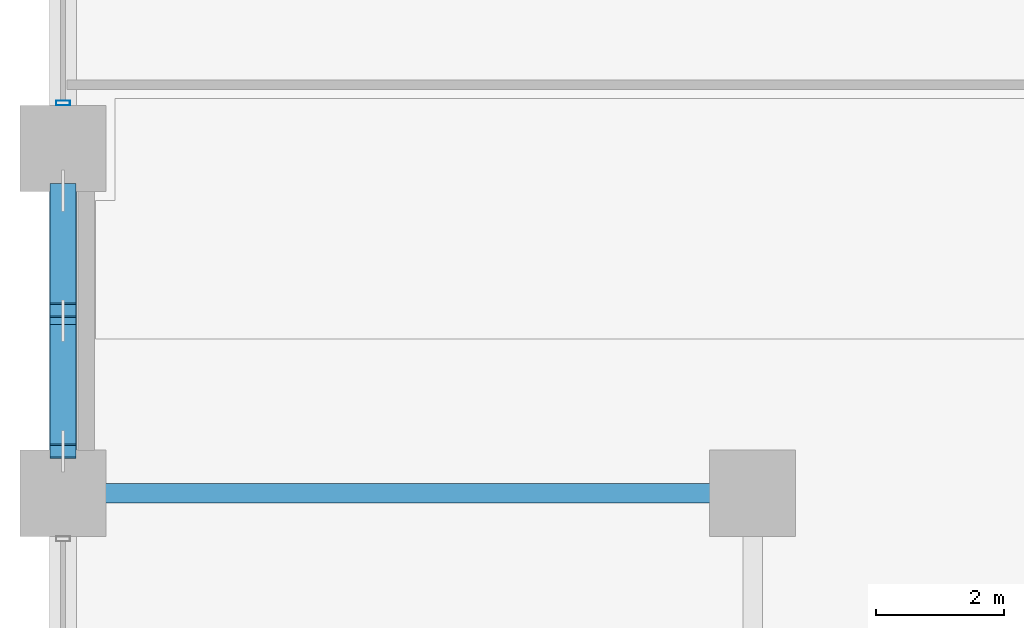
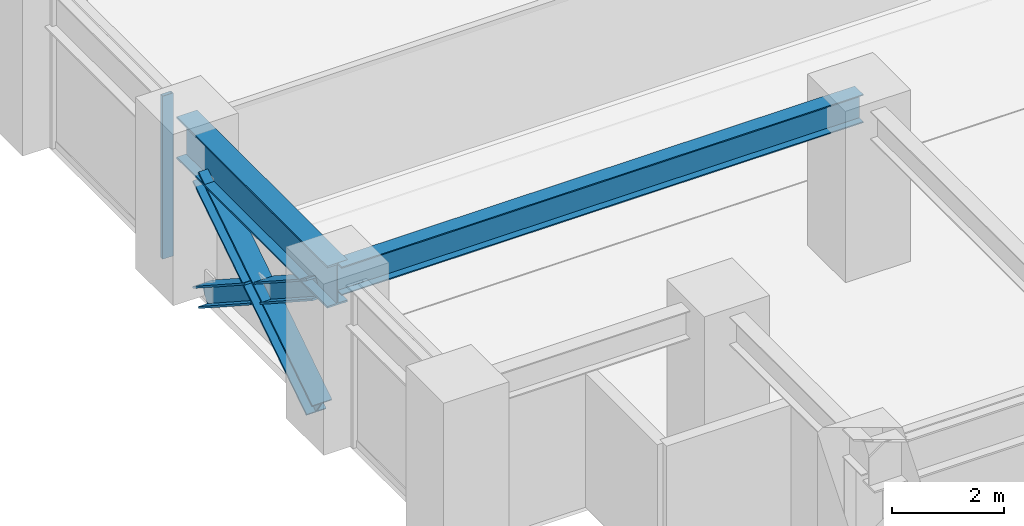
# One storey, part 3 of 25: 4 members, 2 beams, 1 element without a shape of its own.
"""IFC4 building model written with IfcOpenShell, lengths in metres."""

import ifcopenshell
import ifcopenshell.guid

model = None  # the IFC model being written
_history = None  # IfcOwnerHistory: only IFC2X3 demands one
_inside = {}  # id of a spatial element -> (the spatial element, [elements in it])
_under = {}  # id of a project, library or spatial element -> (it, [spatial elements below it])
_declared = {}  # id of a project -> (the project, [libraries it declares])
_typed = {}  # id of a type object -> (the type object, [elements of that type])
_made_of = {}  # id of a material, layer set ... -> (it, [elements and type objects made of it])


def new_model(schema):
    """Start an empty IFC model of exactly this schema.

    Asked for "IFC4X3", IfcOpenShell would pick the latest addendum, in which some entities
    have other attributes; the version numbers below select the first issue.
    IFC2X3 requires an IfcOwnerHistory on every rooted entity: one is made here for all.
    """
    global model, _history
    if schema == "IFC4X3":
        model = ifcopenshell.file(schema_version=(4, 3, 0, 0))
    else:
        model = ifcopenshell.file(schema=schema)
    _inside.clear()
    _under.clear()
    _declared.clear()
    _typed.clear()
    _made_of.clear()
    _history = None
    if model.schema == "IFC2X3":
        org = make("IfcOrganization", Name="unknown")
        user = make(
            "IfcPersonAndOrganization",
            ThePerson=make("IfcPerson", FamilyName="unknown"),
            TheOrganization=org,
        )
        app = make(
            "IfcApplication",
            ApplicationDeveloper=org,
            Version="unknown",
            ApplicationFullName="unknown",
            ApplicationIdentifier="unknown",
        )
        _history = make(
            "IfcOwnerHistory",
            OwningUser=user,
            OwningApplication=app,
            ChangeAction="ADDED",
            CreationDate=0,
        )
    return model


def make(cls, **values):
    """One entity of the class cls with the attributes given. An attribute that is None is left unset."""
    return model.create_entity(
        cls, **{name: value for name, value in values.items() if value is not None}
    )


def rooted(cls, **values):
    """An entity with a GlobalId (a new one), such as an element, a storey or a relation."""
    return make(cls, GlobalId=ifcopenshell.guid.new(), OwnerHistory=_history, **values)


def si_unit(unit_type, name, prefix=None):
    """IfcSIUnit, for example si_unit("LENGTHUNIT", "METRE", prefix="MILLI")."""
    return make("IfcSIUnit", UnitType=unit_type, Prefix=prefix, Name=name)


def assignment(units):
    """IfcUnitAssignment: the units of a project."""
    return None if units is None else make("IfcUnitAssignment", Units=units)


def point(xyz):
    """IfcCartesianPoint."""
    return None if xyz is None else make("IfcCartesianPoint", Coordinates=xyz)


def direction(xyz):
    """IfcDirection."""
    return None if xyz is None else make("IfcDirection", DirectionRatios=xyz)


def frame(location, z_axis=None, x_axis=None):
    """IfcAxis2Placement3D, a coordinate frame: its origin and axes. An axis left out is left unset."""
    return make(
        "IfcAxis2Placement3D",
        Location=point(location),
        Axis=direction(z_axis),
        RefDirection=direction(x_axis),
    )


def frame_2d(location, x_axis=None):
    """IfcAxis2Placement2D, a coordinate frame in the plane: its origin and x axis."""
    return make(
        "IfcAxis2Placement2D", Location=point(location), RefDirection=direction(x_axis)
    )


def origin():
    """The frame at (0, 0, 0) with its axes left unset."""
    return frame((0.0, 0.0, 0.0))


def origin_2d():
    """The frame at (0, 0) in the plane with its x axis left unset."""
    return frame_2d((0.0, 0.0))


def place(relative_to, where):
    """IfcLocalPlacement: puts the frame where relative to a parent placement (None: the world)."""
    return make(
        "IfcLocalPlacement", PlacementRelTo=relative_to, RelativePlacement=where
    )


def context(
    kind, dimensions, precision=None, world=None, true_north=None, identifier=None
):
    """IfcGeometricRepresentationContext, for example the 3D "Model" context."""
    return make(
        "IfcGeometricRepresentationContext",
        ContextIdentifier=identifier,
        ContextType=kind,
        CoordinateSpaceDimension=dimensions,
        Precision=precision,
        WorldCoordinateSystem=world,
        TrueNorth=true_north,
    )


def subcontext(parent, identifier, kind, view, scale=None):
    """IfcGeometricRepresentationSubContext, for example "Body" below "Model"."""
    return make(
        "IfcGeometricRepresentationSubContext",
        ContextIdentifier=identifier,
        ContextType=kind,
        ParentContext=parent,
        TargetScale=scale,
        TargetView=view,
    )


def project(units=None, contexts=None):
    """IfcProject with its units and contexts."""
    return rooted(
        "IfcProject",
        Name="project",
        RepresentationContexts=contexts,
        UnitsInContext=assignment(units),
    )


def spatial(cls, under=None, at=None, **own):
    """A site, building, storey or space (cls), placed at a placement, below another one or the project."""
    s = rooted(cls, ObjectPlacement=at, **own)
    if under is not None:
        _under.setdefault(under.id(), (under, []))[1].append(s)
    return s


def profile(cls, at=None, kind="AREA", **sizes):
    """A parametric profile (cls). Its sizes go by their IFC names, for example OverallWidth=200.0."""
    return make(cls, ProfileType=kind, Position=at, **sizes)


def hollow_rectangle(**sizes):
    """IfcRectangleHollowProfileDef."""
    return profile("IfcRectangleHollowProfileDef", **sizes)


def i_section(**sizes):
    """IfcIShapeProfileDef."""
    return profile("IfcIShapeProfileDef", **sizes)


def extrude(swept, where, along, depth):
    """IfcExtrudedAreaSolid: the profile swept, set in the frame where, extruded along a direction by depth."""
    return make(
        "IfcExtrudedAreaSolid",
        SweptArea=swept,
        Position=where,
        ExtrudedDirection=direction(along),
        Depth=depth,
    )


def shape(context_of_items, identifier, shape_type, items):
    """IfcShapeRepresentation: the items that make up one representation, for example the "Body"."""
    return make(
        "IfcShapeRepresentation",
        ContextOfItems=context_of_items,
        RepresentationIdentifier=identifier,
        RepresentationType=shape_type,
        Items=items,
    )


def material(Name=None, Category=None):
    """IfcMaterial."""
    return make("IfcMaterial", Name=Name, Category=Category)


def layer(
    of_material, thickness, ventilated=None, Name=None, Category=None, Priority=None
):
    """IfcMaterialLayer: one layer of a wall or slab, of a material (None: an air gap)."""
    return make(
        "IfcMaterialLayer",
        Material=of_material,
        LayerThickness=thickness,
        IsVentilated=ventilated,
        Name=Name,
        Category=Category,
        Priority=Priority,
    )


def layer_set(layers, Name=None):
    """IfcMaterialLayerSet."""
    return make("IfcMaterialLayerSet", MaterialLayers=layers, LayerSetName=Name)


def material_profile(
    of_material, cross_section, Name=None, Category=None, Priority=None
):
    """IfcMaterialProfile: a cross section and its material."""
    return make(
        "IfcMaterialProfile",
        Name=Name,
        Material=of_material,
        Profile=cross_section,
        Priority=Priority,
        Category=Category,
    )


def profile_set(profiles, Name=None, composite=None):
    """IfcMaterialProfileSet."""
    return make(
        "IfcMaterialProfileSet",
        Name=Name,
        MaterialProfiles=profiles,
        CompositeProfile=composite,
    )


def made_of(thing, what):
    """Note that an element or type object is made of a material, layer set ...; save() writes the relation."""
    if what is not None:
        _made_of.setdefault(what.id(), (what, []))[1].append(thing)
    return thing


def type_object(cls, material=None, **own):
    """A type object (cls), such as IfcWallType, which elements share."""
    return made_of(rooted(cls, **own), material)


def element(
    cls,
    number,
    at=None,
    inside=None,
    cuts=None,
    type_object=None,
    material=None,
    context=None,
    identifier="Body",
    shape_type=None,
    held_by="IfcProductDefinitionShape",
    body=None,
    shapes=None,
    **own,
):
    """One element of the class cls, such as IfcWall. Its Tag is "e" and its number.

    at: its placement. inside: the storey or other place that contains it. cuts: it is an
    opening in that element (IfcRelVoidsElement). A single representation is given by context,
    identifier, shape_type and body (its items); several are given by shapes. held_by: the class
    of the entity that holds the representations. save() writes the other relations.
    """
    e = rooted(cls, Tag="e%d" % number, ObjectPlacement=at, **own)
    if body is not None:
        shapes = [shape(context, identifier, shape_type, body)]
    if shapes is not None:
        e.Representation = make(held_by, Representations=shapes)
    if inside is not None:
        _inside.setdefault(inside.id(), (inside, []))[1].append(e)
    if cuts is not None:
        rooted(
            "IfcRelVoidsElement", RelatingBuildingElement=cuts, RelatedOpeningElement=e
        )
    if type_object is not None:
        _typed.setdefault(type_object.id(), (type_object, []))[1].append(e)
    return made_of(e, material)


def aggregate(whole, parts):
    """IfcRelAggregates: a whole, such as a stair, and the parts it consists of."""
    return rooted("IfcRelAggregates", RelatingObject=whole, RelatedObjects=parts)


def save(model, path):
    """Write the relations noted so far, then the file.

    IfcRelAggregates (storeys below a building ...), IfcRelContainedInSpatialStructure (elements
    in a storey), IfcRelDefinesByType, IfcRelAssociatesMaterial and IfcRelDeclares: one each for
    every whole, place, type object, material and project.
    """
    for whole, parts in _under.values():
        aggregate(whole, parts)
    for where, things in _inside.values():
        rooted(
            "IfcRelContainedInSpatialStructure",
            RelatedElements=things,
            RelatingStructure=where,
        )
    for kind, things in _typed.values():
        rooted("IfcRelDefinesByType", RelatedObjects=things, RelatingType=kind)
    for what, things in _made_of.values():
        rooted("IfcRelAssociatesMaterial", RelatedObjects=things, RelatingMaterial=what)
    for by, libraries in _declared.values():
        rooted("IfcRelDeclares", RelatingContext=by, RelatedDefinitions=libraries)
    model.write(path)


model = new_model("IFC4")

# Units and contexts
model_context = context("Model", 3, precision=1e-05, world=origin(), true_north=direction((0.0, 1.0)))
body_context = subcontext(model_context, "Body", "Model", "MODEL_VIEW")
ifc_project = project(units=[si_unit("LENGTHUNIT", "METRE"), si_unit("AREAUNIT", "SQUARE_METRE"), si_unit("VOLUMEUNIT", "CUBIC_METRE"), si_unit("PLANEANGLEUNIT", "RADIAN"), si_unit("MASSUNIT", "GRAM", prefix="KILO")], contexts=[model_context])

# Site, building, storey
site_placement = place(None, origin())
site = spatial("IfcSite", under=ifc_project, at=site_placement, CompositionType="ELEMENT")
building_placement = place(site_placement, origin())
building = spatial("IfcBuilding", under=site, at=building_placement, Name="Surkhivell Harbour Commons", CompositionType="ELEMENT")
storey_placement = place(building_placement, frame((0.0, 0.0, 45.0)))
storey = spatial("IfcBuildingStorey", under=building, at=storey_placement, Name="L11", CompositionType="ELEMENT", Elevation=45.0)

# Beams
ifc_material_1 = material(Name="Steel S355", Category="steel")
ifc_material_profile_1 = material_profile(ifc_material_1, i_section(OverallWidth=0.306884765625, OverallDepth=0.6201171875, WebThickness=0.01416015625, FlangeThickness=0.023681640625, at=origin_2d()), Name="UB610x305x179")
ifc_profile_set_1 = profile_set([ifc_material_profile_1], Name="Steel S355")
beam_type_1 = type_object("IfcBeamType", Name="BM-GRD-610A", PredefinedType="BEAM", material=ifc_profile_set_1)
beam_1_placement = place(storey_placement, frame((-32.39990234375, -16.199951171875, 3.260009765625), z_axis=(1.0, 0.0, 0.0), x_axis=(0.0, 1.0, 0.0)))
element("IfcBeam", 1, at=beam_1_placement, inside=storey, type_object=beam_type_1, Name="L11 Floor Girder (-32.4,-16.2)", PredefinedType="BEAM", context=body_context, shape_type="SweptSolid", body=[
    extrude(i_section(OverallWidth=0.306884765625, OverallDepth=0.6201171875, WebThickness=0.01416015625, FlangeThickness=0.023681640625, at=origin_2d()), origin(), (0.0, 0.0, 1.0), 10.7998046875),
])
ifc_material_2 = material(Name="Steel S460", Category="steel")
ifc_material_profile_2 = material_profile(ifc_material_2, i_section(OverallWidth=0.419921875, OverallDepth=0.9208984375, WebThickness=0.021484375, FlangeThickness=0.03662109375, at=origin_2d()), Name="UB914x419x388")
ifc_profile_set_2 = profile_set([ifc_material_profile_2], Name="Steel S460")
beam_type_2 = type_object("IfcBeamType", Name="BM-SPN-914A", PredefinedType="SPANDREL", material=ifc_profile_set_2)
beam_2_placement = place(storey_placement, frame((-32.39990234375, -16.199951171875, 3.109619140625), z_axis=(0.0, 1.0, 0.0), x_axis=(-1.0, 0.0, 0.0)))
element("IfcBeam", 2, at=beam_2_placement, inside=storey, type_object=beam_type_2, Name="L11 Tube Spandrel (-32.4,-16.2)", PredefinedType="SPANDREL", context=body_context, shape_type="SweptSolid", body=[
    extrude(i_section(OverallWidth=0.419921875, OverallDepth=0.9208984375, WebThickness=0.021484375, FlangeThickness=0.03662109375, at=origin_2d()), origin(), (0.0, 0.0, 1.0), 5.39990234375),
])

# Curtain wall, member
ifc_material_3 = material(Name="Anodised pale-metal aluminium and insulated glazing", Category="aluminium")
ifc_layer = layer(ifc_material_3, 0.219970703125)
ifc_layer_set = layer_set([ifc_layer], Name="Anodised pale-metal aluminium and insulated glazing")
curtain_wall_type = type_object("IfcCurtainWallType", Name="CW-SYS-Z1", PredefinedType="NOTDEFINED", material=ifc_layer_set)
curtain_wall_placement = place(storey_placement, origin())
curtain_wall = element("IfcCurtainWall", 3, at=curtain_wall_placement, inside=storey, type_object=curtain_wall_type, Name="L11 Curtain Wall CW-L11-E12S1", PredefinedType="NOTDEFINED")
ifc_material_4 = material(Name="Anodised pale-metal aluminium alloy 6063-T6", Category="aluminium")
ifc_material_profile_3 = material_profile(ifc_material_4, hollow_rectangle(XDim=0.074951171875, YDim=0.219970703125, WallThickness=0.00390625, at=origin_2d()), Name="ALU-MULL-75x220")
ifc_profile_set_3 = profile_set([ifc_material_profile_3], Name="Anodised pale-metal aluminium alloy 6063-T6")
member_type_1 = type_object("IfcMemberType", Name="CWM-220", PredefinedType="MULLION", material=ifc_profile_set_3)
member_1_placement = place(storey_placement, frame((-32.39990234375, -10.08544921875, 0.0), z_axis=(0.0, 0.0, 1.0), x_axis=(0.0, -1.0, 0.0)))
member_1 = element("IfcMember", 4, at=member_1_placement, type_object=member_type_1, Name="CW-Z1 mullion 7", PredefinedType="MULLION", context=body_context, shape_type="SweptSolid", body=[
    extrude(hollow_rectangle(XDim=0.074951171875, YDim=0.219970703125, WallThickness=0.00390625, at=origin_2d()), origin(), (0.0, 0.0, 1.0), 3.570068359375),
])
aggregate(curtain_wall, [member_1])

# Members
ifc_material_profile_4 = material_profile(ifc_material_2, i_section(OverallWidth=0.406005859375, OverallDepth=0.416015625, WebThickness=0.026611328125, FlangeThickness=0.0390625, at=origin_2d()), Name="HD400x382")
ifc_profile_set_4 = profile_set([ifc_material_profile_4], Name="Steel S460")
member_type_2 = type_object("IfcMemberType", Name="MEM-BRC-HD382", PredefinedType="BRACE", material=ifc_profile_set_4)
member_2_placement = place(storey_placement, frame((-32.39990234375, -15.5400390625, 0.008056640625), z_axis=(0.0, 0.83910375559, 0.543971403067), x_axis=(-1.0, 0.0, 0.0)))
element("IfcMember", 5, at=member_2_placement, inside=storey, type_object=member_type_2, Name="L11 Perimeter Mega-Brace MB- 10", PredefinedType="BRACE", context=body_context, shape_type="SweptSolid", body=[
    extrude(i_section(OverallWidth=0.406005859375, OverallDepth=0.416015625, WebThickness=0.026611328125, FlangeThickness=0.0390625, at=origin_2d()), origin(), (0.0, 0.0, 1.0), 4.8623046875),
])
for number, where, z_axis, x_axis, name in (
    (6, (-32.39990234375, -11.4599609375, 0.008056640625), (0.0, -0.839117847051, 0.54394966565), (1.0, 0.0, 0.0), "L11 Perimeter Mega-Brace MB- 11"),
    (7, (-32.39990234375, -13.66748046875, 1.439208984375), (0.0, -0.839117847051, 0.54394966565), (1.0, 0.0, 0.0), "L11 Perimeter Mega-Brace MB- 12"),
):
    element("IfcMember", number, at=place(storey_placement, frame(where, z_axis=z_axis, x_axis=x_axis)), inside=storey, type_object=member_type_2, Name=name, PredefinedType="BRACE", context=body_context, shape_type="SweptSolid", body=[
        extrude(i_section(OverallWidth=0.406005859375, OverallDepth=0.416015625, WebThickness=0.026611328125, FlangeThickness=0.0390625, at=origin_2d()), origin(), (0.0, 0.0, 1.0), 2.231689453125),
    ])

save(model, "model.ifc")
